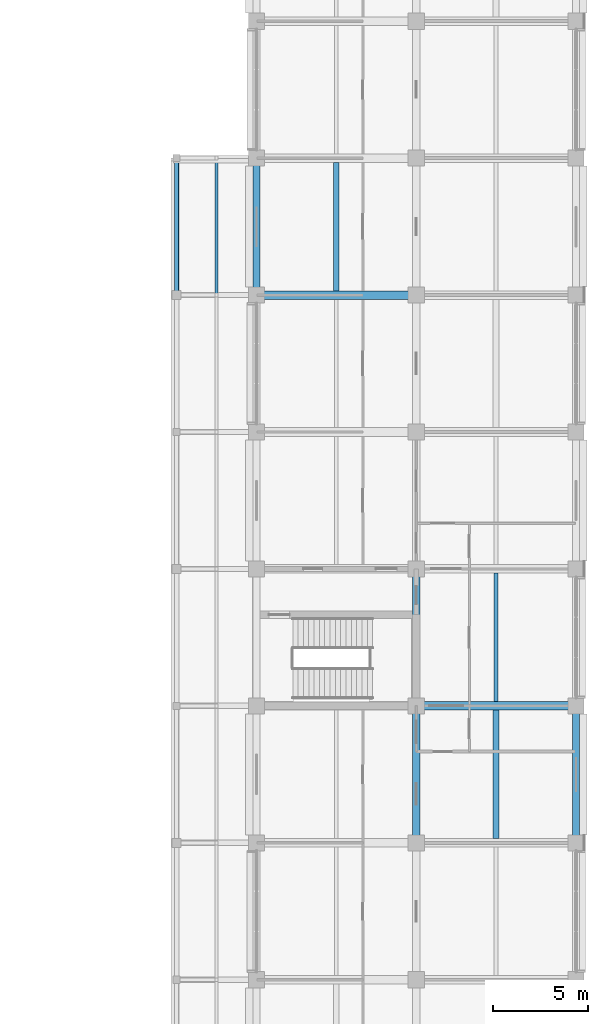
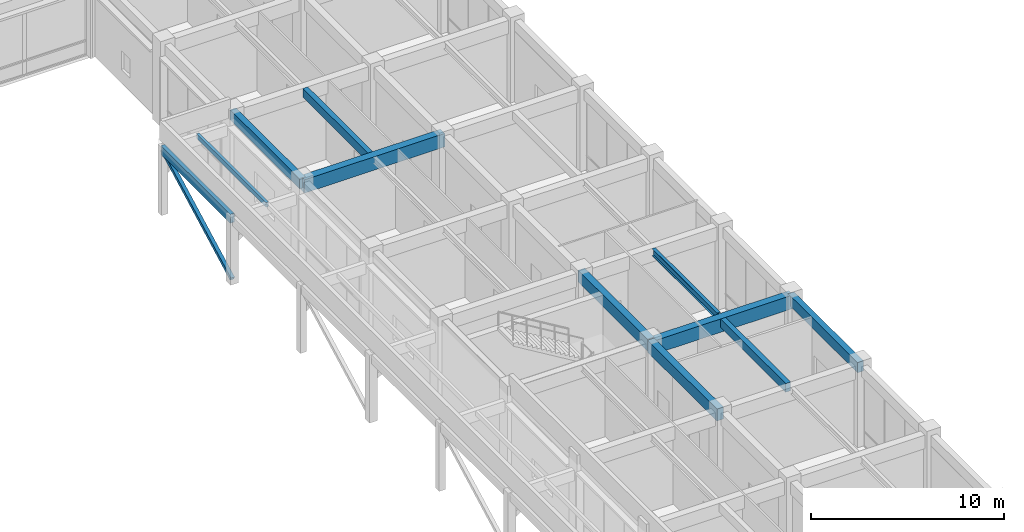
# One storey, part 23 of 68: 10 beams, 2 members.
"""IFC4 building model written with IfcOpenShell, lengths in metres."""

import ifcopenshell
import ifcopenshell.guid

model = None  # the IFC model being written
_history = None  # IfcOwnerHistory: only IFC2X3 demands one
_inside = {}  # id of a spatial element -> (the spatial element, [elements in it])
_under = {}  # id of a project, library or spatial element -> (it, [spatial elements below it])
_declared = {}  # id of a project -> (the project, [libraries it declares])
_typed = {}  # id of a type object -> (the type object, [elements of that type])
_made_of = {}  # id of a material, layer set ... -> (it, [elements and type objects made of it])


def new_model(schema):
    """Start an empty IFC model of exactly this schema.

    Asked for "IFC4X3", IfcOpenShell would pick the latest addendum, in which some entities
    have other attributes; the version numbers below select the first issue.
    IFC2X3 requires an IfcOwnerHistory on every rooted entity: one is made here for all.
    """
    global model, _history
    if schema == "IFC4X3":
        model = ifcopenshell.file(schema_version=(4, 3, 0, 0))
    else:
        model = ifcopenshell.file(schema=schema)
    _inside.clear()
    _under.clear()
    _declared.clear()
    _typed.clear()
    _made_of.clear()
    _history = None
    if model.schema == "IFC2X3":
        org = make("IfcOrganization", Name="unknown")
        user = make(
            "IfcPersonAndOrganization",
            ThePerson=make("IfcPerson", FamilyName="unknown"),
            TheOrganization=org,
        )
        app = make(
            "IfcApplication",
            ApplicationDeveloper=org,
            Version="unknown",
            ApplicationFullName="unknown",
            ApplicationIdentifier="unknown",
        )
        _history = make(
            "IfcOwnerHistory",
            OwningUser=user,
            OwningApplication=app,
            ChangeAction="ADDED",
            CreationDate=0,
        )
    return model


def make(cls, **values):
    """One entity of the class cls with the attributes given. An attribute that is None is left unset."""
    return model.create_entity(
        cls, **{name: value for name, value in values.items() if value is not None}
    )


def rooted(cls, **values):
    """An entity with a GlobalId (a new one), such as an element, a storey or a relation."""
    return make(cls, GlobalId=ifcopenshell.guid.new(), OwnerHistory=_history, **values)


def si_unit(unit_type, name, prefix=None):
    """IfcSIUnit, for example si_unit("LENGTHUNIT", "METRE", prefix="MILLI")."""
    return make("IfcSIUnit", UnitType=unit_type, Prefix=prefix, Name=name)


def assignment(units):
    """IfcUnitAssignment: the units of a project."""
    return None if units is None else make("IfcUnitAssignment", Units=units)


def point(xyz):
    """IfcCartesianPoint."""
    return None if xyz is None else make("IfcCartesianPoint", Coordinates=xyz)


def direction(xyz):
    """IfcDirection."""
    return None if xyz is None else make("IfcDirection", DirectionRatios=xyz)


def frame(location, z_axis=None, x_axis=None):
    """IfcAxis2Placement3D, a coordinate frame: its origin and axes. An axis left out is left unset."""
    return make(
        "IfcAxis2Placement3D",
        Location=point(location),
        Axis=direction(z_axis),
        RefDirection=direction(x_axis),
    )


def frame_2d(location, x_axis=None):
    """IfcAxis2Placement2D, a coordinate frame in the plane: its origin and x axis."""
    return make(
        "IfcAxis2Placement2D", Location=point(location), RefDirection=direction(x_axis)
    )


def origin():
    """The frame at (0, 0, 0) with its axes left unset."""
    return frame((0.0, 0.0, 0.0))


def origin_2d():
    """The frame at (0, 0) in the plane with its x axis left unset."""
    return frame_2d((0.0, 0.0))


def place(relative_to, where):
    """IfcLocalPlacement: puts the frame where relative to a parent placement (None: the world)."""
    return make(
        "IfcLocalPlacement", PlacementRelTo=relative_to, RelativePlacement=where
    )


def context(
    kind, dimensions, precision=None, world=None, true_north=None, identifier=None
):
    """IfcGeometricRepresentationContext, for example the 3D "Model" context."""
    return make(
        "IfcGeometricRepresentationContext",
        ContextIdentifier=identifier,
        ContextType=kind,
        CoordinateSpaceDimension=dimensions,
        Precision=precision,
        WorldCoordinateSystem=world,
        TrueNorth=true_north,
    )


def subcontext(parent, identifier, kind, view, scale=None):
    """IfcGeometricRepresentationSubContext, for example "Body" below "Model"."""
    return make(
        "IfcGeometricRepresentationSubContext",
        ContextIdentifier=identifier,
        ContextType=kind,
        ParentContext=parent,
        TargetScale=scale,
        TargetView=view,
    )


def project(units=None, contexts=None):
    """IfcProject with its units and contexts."""
    return rooted(
        "IfcProject",
        Name="project",
        RepresentationContexts=contexts,
        UnitsInContext=assignment(units),
    )


def spatial(cls, under=None, at=None, **own):
    """A site, building, storey or space (cls), placed at a placement, below another one or the project."""
    s = rooted(cls, ObjectPlacement=at, **own)
    if under is not None:
        _under.setdefault(under.id(), (under, []))[1].append(s)
    return s


def profile(cls, at=None, kind="AREA", **sizes):
    """A parametric profile (cls). Its sizes go by their IFC names, for example OverallWidth=200.0."""
    return make(cls, ProfileType=kind, Position=at, **sizes)


def rectangle(**sizes):
    """IfcRectangleProfileDef."""
    return profile("IfcRectangleProfileDef", **sizes)


def i_section(**sizes):
    """IfcIShapeProfileDef."""
    return profile("IfcIShapeProfileDef", **sizes)


def extrude(swept, where, along, depth):
    """IfcExtrudedAreaSolid: the profile swept, set in the frame where, extruded along a direction by depth."""
    return make(
        "IfcExtrudedAreaSolid",
        SweptArea=swept,
        Position=where,
        ExtrudedDirection=direction(along),
        Depth=depth,
    )


def shape(context_of_items, identifier, shape_type, items):
    """IfcShapeRepresentation: the items that make up one representation, for example the "Body"."""
    return make(
        "IfcShapeRepresentation",
        ContextOfItems=context_of_items,
        RepresentationIdentifier=identifier,
        RepresentationType=shape_type,
        Items=items,
    )


def material(Name=None, Category=None):
    """IfcMaterial."""
    return make("IfcMaterial", Name=Name, Category=Category)


def material_profile(
    of_material, cross_section, Name=None, Category=None, Priority=None
):
    """IfcMaterialProfile: a cross section and its material."""
    return make(
        "IfcMaterialProfile",
        Name=Name,
        Material=of_material,
        Profile=cross_section,
        Priority=Priority,
        Category=Category,
    )


def profile_set(profiles, Name=None, composite=None):
    """IfcMaterialProfileSet."""
    return make(
        "IfcMaterialProfileSet",
        Name=Name,
        MaterialProfiles=profiles,
        CompositeProfile=composite,
    )


def made_of(thing, what):
    """Note that an element or type object is made of a material, layer set ...; save() writes the relation."""
    if what is not None:
        _made_of.setdefault(what.id(), (what, []))[1].append(thing)
    return thing


def type_object(cls, material=None, **own):
    """A type object (cls), such as IfcWallType, which elements share."""
    return made_of(rooted(cls, **own), material)


def element(
    cls,
    number,
    at=None,
    inside=None,
    cuts=None,
    type_object=None,
    material=None,
    context=None,
    identifier="Body",
    shape_type=None,
    held_by="IfcProductDefinitionShape",
    body=None,
    shapes=None,
    **own,
):
    """One element of the class cls, such as IfcWall. Its Tag is "e" and its number.

    at: its placement. inside: the storey or other place that contains it. cuts: it is an
    opening in that element (IfcRelVoidsElement). A single representation is given by context,
    identifier, shape_type and body (its items); several are given by shapes. held_by: the class
    of the entity that holds the representations. save() writes the other relations.
    """
    e = rooted(cls, Tag="e%d" % number, ObjectPlacement=at, **own)
    if body is not None:
        shapes = [shape(context, identifier, shape_type, body)]
    if shapes is not None:
        e.Representation = make(held_by, Representations=shapes)
    if inside is not None:
        _inside.setdefault(inside.id(), (inside, []))[1].append(e)
    if cuts is not None:
        rooted(
            "IfcRelVoidsElement", RelatingBuildingElement=cuts, RelatedOpeningElement=e
        )
    if type_object is not None:
        _typed.setdefault(type_object.id(), (type_object, []))[1].append(e)
    return made_of(e, material)


def aggregate(whole, parts):
    """IfcRelAggregates: a whole, such as a stair, and the parts it consists of."""
    return rooted("IfcRelAggregates", RelatingObject=whole, RelatedObjects=parts)


def save(model, path):
    """Write the relations noted so far, then the file.

    IfcRelAggregates (storeys below a building ...), IfcRelContainedInSpatialStructure (elements
    in a storey), IfcRelDefinesByType, IfcRelAssociatesMaterial and IfcRelDeclares: one each for
    every whole, place, type object, material and project.
    """
    for whole, parts in _under.values():
        aggregate(whole, parts)
    for where, things in _inside.values():
        rooted(
            "IfcRelContainedInSpatialStructure",
            RelatedElements=things,
            RelatingStructure=where,
        )
    for kind, things in _typed.values():
        rooted("IfcRelDefinesByType", RelatedObjects=things, RelatingType=kind)
    for what, things in _made_of.values():
        rooted("IfcRelAssociatesMaterial", RelatedObjects=things, RelatingMaterial=what)
    for by, libraries in _declared.values():
        rooted("IfcRelDeclares", RelatingContext=by, RelatedDefinitions=libraries)
    model.write(path)


model = new_model("IFC4")

# Units and contexts
model_context = context("Model", 3, precision=1e-05, world=origin(), true_north=direction((0.0, 1.0)))
body_context = subcontext(model_context, "Body", "Model", "MODEL_VIEW")
ifc_project = project(units=[si_unit("LENGTHUNIT", "METRE"), si_unit("AREAUNIT", "SQUARE_METRE"), si_unit("VOLUMEUNIT", "CUBIC_METRE"), si_unit("PLANEANGLEUNIT", "RADIAN"), si_unit("MASSUNIT", "GRAM", prefix="KILO")], contexts=[model_context])

# Site, building, storey
site_placement = place(None, origin())
site = spatial("IfcSite", under=ifc_project, at=site_placement, CompositionType="ELEMENT")
building_placement = place(site_placement, origin())
building = spatial("IfcBuilding", under=site, at=building_placement, Name="Chengyuan Square Courthouse", CompositionType="ELEMENT")
storey_placement = place(building_placement, frame((0.0, 0.0, 5.39990234375)))
storey = spatial("IfcBuildingStorey", under=building, at=storey_placement, Name="L02", CompositionType="ELEMENT", Elevation=5.39990234375)

# Beams
ifc_material_1 = material(Name="Concrete C40", Category="concrete")
ifc_material_profile_1 = material_profile(ifc_material_1, rectangle(XDim=0.449951171875, YDim=0.85009765625, at=origin_2d()), Name="RC-BM-450x850")
ifc_profile_set_1 = profile_set([ifc_material_profile_1], Name="Concrete C40")
beam_type_1 = type_object("IfcBeamType", Name="BM-01", PredefinedType="USERDEFINED", material=ifc_profile_set_1)
beam_1_placement = place(storey_placement, frame((159.60009765625, 36.0, 4.625), z_axis=(1.0, 0.0, 0.0), x_axis=(0.0, 1.0, 0.0)))
element("IfcBeam", 1, at=beam_1_placement, inside=storey, type_object=beam_type_1, Name="Girder BM-L02-2094", ObjectType="GIRDER", PredefinedType="USERDEFINED", context=body_context, shape_type="SweptSolid", body=[
    extrude(rectangle(XDim=0.449951171875, YDim=0.85009765625, at=origin_2d()), origin(), (0.0, 0.0, 1.0), 8.39990234375),
])
beam_2_placement = place(storey_placement, frame((151.199951171875, 57.60009765625, 4.695068359375), z_axis=(1.0, 0.0, 0.0), x_axis=(0.0, 1.0, 0.0)))
element("IfcBeam", 2, at=beam_2_placement, inside=storey, type_object=beam_type_1, Name="Girder BM-L02-2105", ObjectType="GIRDER", PredefinedType="USERDEFINED", context=body_context, shape_type="SweptSolid", body=[
    extrude(rectangle(XDim=0.449951171875, YDim=0.85009765625, at=origin_2d()), origin(), (0.0, 0.0, 1.0), 8.400146484375),
])
ifc_material_profile_2 = material_profile(ifc_material_1, rectangle(XDim=0.39990234375, YDim=0.75, at=origin_2d()), Name="RC-BM-400x750")
ifc_profile_set_2 = profile_set([ifc_material_profile_2], Name="Concrete C40")
beam_type_2 = type_object("IfcBeamType", Name="BM-02", PredefinedType="USERDEFINED", material=ifc_profile_set_2)
for number, where, z_axis, x_axis, name in (
    (3, (159.60009765625, 28.800048828125, 4.675048828125), (0.0, 1.0, 0.0), (-1.0, 0.0, 0.0), "Girder BM-L02-2364"),
    (4, (159.60009765625, 36.0, 4.7451171875), (0.0, 1.0, 0.0), (-1.0, 0.0, 0.0), "Girder BM-L02-2365"),
):
    element("IfcBeam", number, at=place(storey_placement, frame(where, z_axis=z_axis, x_axis=x_axis)), inside=storey, type_object=beam_type_2, Name=name, ObjectType="GIRDER", PredefinedType="USERDEFINED", context=body_context, shape_type="SweptSolid", body=[
        extrude(rectangle(XDim=0.39990234375, YDim=0.75, at=origin_2d()), origin(), (0.0, 0.0, 1.0), 7.199951171875),
    ])
ifc_material_profile_3 = material_profile(ifc_material_1, rectangle(XDim=0.35009765625, YDim=0.64990234375, at=origin_2d()), Name="RC-BM-350x650")
ifc_profile_set_3 = profile_set([ifc_material_profile_3], Name="Concrete C40")
beam_type_3 = type_object("IfcBeamType", Name="BM-03", PredefinedType="SPANDREL", material=ifc_profile_set_3)
for number, where, z_axis, x_axis, name in (
    (5, (151.199951171875, 57.60009765625, 4.795166015625), (0.0, 1.0, 0.0), (-1.0, 0.0, 0.0), "Girder BM-L02-2353"),
    (6, (168.0, 28.800048828125, 4.72509765625), (0.0, 1.0, 0.0), (-1.0, 0.0, 0.0), "Girder BM-L02-2379"),
):
    element("IfcBeam", number, at=place(storey_placement, frame(where, z_axis=z_axis, x_axis=x_axis)), inside=storey, type_object=beam_type_3, Name=name, PredefinedType="SPANDREL", context=body_context, shape_type="SweptSolid", body=[
        extrude(rectangle(XDim=0.35009765625, YDim=0.64990234375, at=origin_2d()), origin(), (0.0, 0.0, 1.0), 7.199951171875),
    ])
ifc_material_profile_4 = material_profile(ifc_material_1, rectangle(XDim=0.300048828125, YDim=0.550048828125, at=origin_2d()), Name="RC-BM-300x550")
ifc_profile_set_4 = profile_set([ifc_material_profile_4], Name="Concrete C40")
beam_type_4 = type_object("IfcBeamType", Name="BM-04", PredefinedType="BEAM", material=ifc_profile_set_4)
for number, where, z_axis, x_axis, name in (
    (7, (155.39990234375, 57.824951171875, 4.84521484375), (0.0, 1.0, 0.0), (-1.0, 0.0, 0.0), "Secondary Floor Beam SBM-L02-2486"),
    (8, (163.800048828125, 29.02490234375, 4.775146484375), (0.0, 1.0, 0.0), (-1.0, 0.0, 0.0), "Secondary Floor Beam SBM-L02-2497"),
):
    element("IfcBeam", number, at=place(storey_placement, frame(where, z_axis=z_axis, x_axis=x_axis)), inside=storey, type_object=beam_type_4, Name=name, PredefinedType="BEAM", context=body_context, shape_type="SweptSolid", body=[
        extrude(rectangle(XDim=0.300048828125, YDim=0.550048828125, at=origin_2d()), origin(), (0.0, 0.0, 1.0), 6.75),
    ])
ifc_material_2 = material(Name="Steel Q355B", Category="steel")
ifc_material_profile_5 = material_profile(ifc_material_2, i_section(OverallWidth=0.199951171875, OverallDepth=0.449951171875, WebThickness=0.009033203125, FlangeThickness=0.013916015625, at=origin_2d()), Name="HN 450x200x9x14")
ifc_profile_set_5 = profile_set([ifc_material_profile_5], Name="Steel Q355B")
beam_type_5 = type_object("IfcBeamType", Name="BM-06", PredefinedType="BEAM", material=ifc_profile_set_5)
beam_3_placement = place(storey_placement, frame((163.800048828125, 36.22509765625, 4.89501953125), z_axis=(0.0, 1.0, 0.0), x_axis=(-1.0, 0.0, 0.0)))
element("IfcBeam", 9, at=beam_3_placement, inside=storey, type_object=beam_type_5, Name="Secondary Floor Beam SBM-L02-2498", PredefinedType="BEAM", context=body_context, shape_type="SweptSolid", body=[
    extrude(i_section(OverallWidth=0.199951171875, OverallDepth=0.449951171875, WebThickness=0.009033203125, FlangeThickness=0.013916015625, at=origin_2d()), origin(), (0.0, 0.0, 1.0), 6.75),
])

# Member
ifc_material_3 = material(Name="Glulam TCt28", Category="wood")
ifc_material_profile_6 = material_profile(ifc_material_3, rectangle(XDim=0.219970703125, YDim=0.219970703125, at=origin_2d()), Name="GL-BR-220x220")
ifc_profile_set_6 = profile_set([ifc_material_profile_6], Name="Glulam TCt28")
member_type_1 = type_object("IfcMemberType", Name="BR-03", PredefinedType="BRACE", material=ifc_profile_set_6)
member_1_placement = place(storey_placement, frame((147.0, 57.60009765625, 0.2001953125), z_axis=(0.0, 0.883377366963, 0.468662381184), x_axis=(-1.0, 0.0, 0.0)))
element("IfcMember", 10, at=member_1_placement, inside=storey, type_object=member_type_1, Name="Glulam Colonnade Portal Brace GBR-L02-018", PredefinedType="BRACE", context=body_context, shape_type="SweptSolid", body=[
    extrude(rectangle(XDim=0.219970703125, YDim=0.219970703125, at=origin_2d()), origin(), (0.0, 0.0, 1.0), 8.150390625),
])

# Beam
ifc_material_profile_7 = material_profile(ifc_material_3, rectangle(XDim=0.239990234375, YDim=0.56005859375, at=origin_2d()), Name="GL-BM-240x560")
ifc_profile_set_7 = profile_set([ifc_material_profile_7], Name="Glulam TCt28")
beam_type_6 = type_object("IfcBeamType", Name="GLB-02", PredefinedType="BEAM", material=ifc_profile_set_7)
beam_4_placement = place(storey_placement, frame((147.0, 57.60009765625, 4.02001953125), z_axis=(0.0, 1.0, 0.0), x_axis=(-1.0, 0.0, 0.0)))
element("IfcBeam", 11, at=beam_4_placement, inside=storey, type_object=beam_type_6, Name="Glulam Colonnade Header GLH-L02-018", PredefinedType="BEAM", context=body_context, shape_type="SweptSolid", body=[
    extrude(rectangle(XDim=0.239990234375, YDim=0.56005859375, at=origin_2d()), origin(), (0.0, 0.0, 1.0), 7.199951171875),
])

# Member
ifc_material_profile_8 = material_profile(ifc_material_3, rectangle(XDim=0.159912109375, YDim=0.300048828125, at=origin_2d()), Name="GL-PRL-160x300")
ifc_profile_set_8 = profile_set([ifc_material_profile_8], Name="Glulam TCt28")
member_type_2 = type_object("IfcMemberType", Name="PRL-02", PredefinedType="PURLIN", material=ifc_profile_set_8)
member_2_placement = place(storey_placement, frame((149.10009765625, 57.60009765625, 4.150146484375), z_axis=(0.0, 1.0, 0.0), x_axis=(-1.0, 0.0, 0.0)))
element("IfcMember", 12, at=member_2_placement, inside=storey, type_object=member_type_2, Name="Glulam Canopy Purlin PRL-COL-018", PredefinedType="PURLIN", context=body_context, shape_type="SweptSolid", body=[
    extrude(rectangle(XDim=0.159912109375, YDim=0.300048828125, at=origin_2d()), origin(), (0.0, 0.0, 1.0), 7.199951171875),
])

save(model, "model.ifc")
